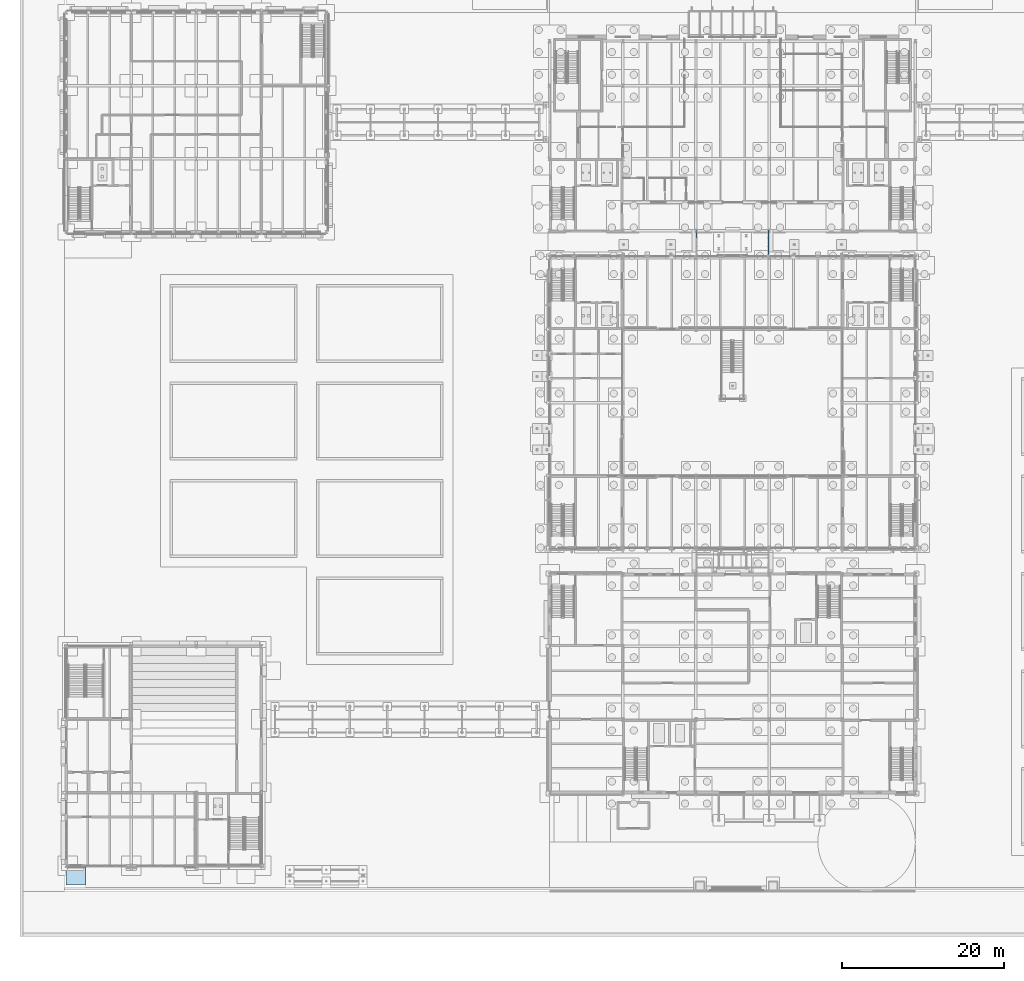
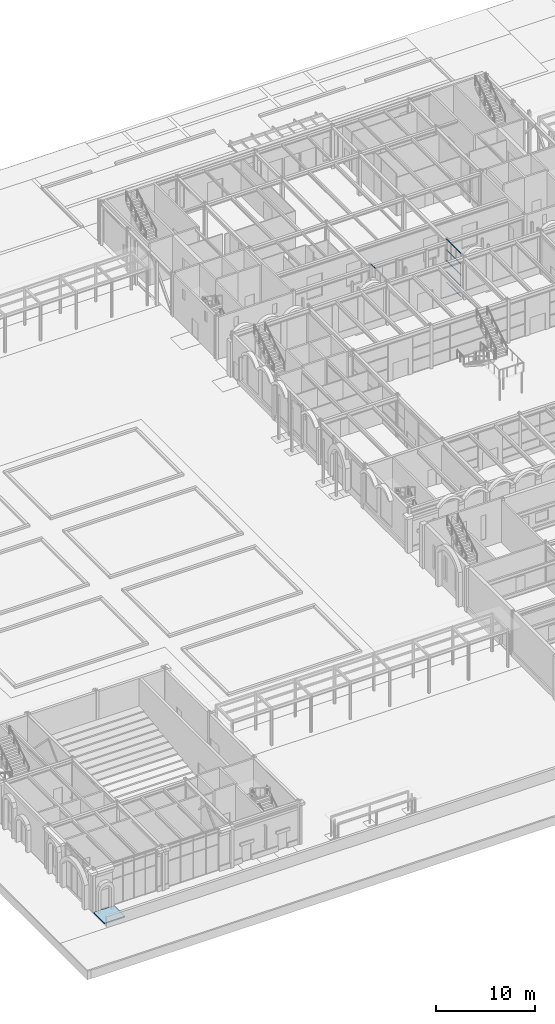
# One storey, part 57 of 126: 16 members, 1 slab, 2 elements without a shape of their own.
"""IFC4 building model written with IfcOpenShell, lengths in metres."""

import ifcopenshell
import ifcopenshell.guid

model = None  # the IFC model being written
_history = None  # IfcOwnerHistory: only IFC2X3 demands one
_inside = {}  # id of a spatial element -> (the spatial element, [elements in it])
_under = {}  # id of a project, library or spatial element -> (it, [spatial elements below it])
_declared = {}  # id of a project -> (the project, [libraries it declares])
_typed = {}  # id of a type object -> (the type object, [elements of that type])
_made_of = {}  # id of a material, layer set ... -> (it, [elements and type objects made of it])


def new_model(schema):
    """Start an empty IFC model of exactly this schema.

    Asked for "IFC4X3", IfcOpenShell would pick the latest addendum, in which some entities
    have other attributes; the version numbers below select the first issue.
    IFC2X3 requires an IfcOwnerHistory on every rooted entity: one is made here for all.
    """
    global model, _history
    if schema == "IFC4X3":
        model = ifcopenshell.file(schema_version=(4, 3, 0, 0))
    else:
        model = ifcopenshell.file(schema=schema)
    _inside.clear()
    _under.clear()
    _declared.clear()
    _typed.clear()
    _made_of.clear()
    _history = None
    if model.schema == "IFC2X3":
        org = make("IfcOrganization", Name="unknown")
        user = make(
            "IfcPersonAndOrganization",
            ThePerson=make("IfcPerson", FamilyName="unknown"),
            TheOrganization=org,
        )
        app = make(
            "IfcApplication",
            ApplicationDeveloper=org,
            Version="unknown",
            ApplicationFullName="unknown",
            ApplicationIdentifier="unknown",
        )
        _history = make(
            "IfcOwnerHistory",
            OwningUser=user,
            OwningApplication=app,
            ChangeAction="ADDED",
            CreationDate=0,
        )
    return model


def make(cls, **values):
    """One entity of the class cls with the attributes given. An attribute that is None is left unset."""
    return model.create_entity(
        cls, **{name: value for name, value in values.items() if value is not None}
    )


def rooted(cls, **values):
    """An entity with a GlobalId (a new one), such as an element, a storey or a relation."""
    return make(cls, GlobalId=ifcopenshell.guid.new(), OwnerHistory=_history, **values)


def si_unit(unit_type, name, prefix=None):
    """IfcSIUnit, for example si_unit("LENGTHUNIT", "METRE", prefix="MILLI")."""
    return make("IfcSIUnit", UnitType=unit_type, Prefix=prefix, Name=name)


def assignment(units):
    """IfcUnitAssignment: the units of a project."""
    return None if units is None else make("IfcUnitAssignment", Units=units)


def point(xyz):
    """IfcCartesianPoint."""
    return None if xyz is None else make("IfcCartesianPoint", Coordinates=xyz)


def direction(xyz):
    """IfcDirection."""
    return None if xyz is None else make("IfcDirection", DirectionRatios=xyz)


def frame(location, z_axis=None, x_axis=None):
    """IfcAxis2Placement3D, a coordinate frame: its origin and axes. An axis left out is left unset."""
    return make(
        "IfcAxis2Placement3D",
        Location=point(location),
        Axis=direction(z_axis),
        RefDirection=direction(x_axis),
    )


def frame_2d(location, x_axis=None):
    """IfcAxis2Placement2D, a coordinate frame in the plane: its origin and x axis."""
    return make(
        "IfcAxis2Placement2D", Location=point(location), RefDirection=direction(x_axis)
    )


def origin():
    """The frame at (0, 0, 0) with its axes left unset."""
    return frame((0.0, 0.0, 0.0))


def origin_2d():
    """The frame at (0, 0) in the plane with its x axis left unset."""
    return frame_2d((0.0, 0.0))


def place(relative_to, where):
    """IfcLocalPlacement: puts the frame where relative to a parent placement (None: the world)."""
    return make(
        "IfcLocalPlacement", PlacementRelTo=relative_to, RelativePlacement=where
    )


def context(
    kind, dimensions, precision=None, world=None, true_north=None, identifier=None
):
    """IfcGeometricRepresentationContext, for example the 3D "Model" context."""
    return make(
        "IfcGeometricRepresentationContext",
        ContextIdentifier=identifier,
        ContextType=kind,
        CoordinateSpaceDimension=dimensions,
        Precision=precision,
        WorldCoordinateSystem=world,
        TrueNorth=true_north,
    )


def subcontext(parent, identifier, kind, view, scale=None):
    """IfcGeometricRepresentationSubContext, for example "Body" below "Model"."""
    return make(
        "IfcGeometricRepresentationSubContext",
        ContextIdentifier=identifier,
        ContextType=kind,
        ParentContext=parent,
        TargetScale=scale,
        TargetView=view,
    )


def project(units=None, contexts=None):
    """IfcProject with its units and contexts."""
    return rooted(
        "IfcProject",
        Name="project",
        RepresentationContexts=contexts,
        UnitsInContext=assignment(units),
    )


def spatial(cls, under=None, at=None, **own):
    """A site, building, storey or space (cls), placed at a placement, below another one or the project."""
    s = rooted(cls, ObjectPlacement=at, **own)
    if under is not None:
        _under.setdefault(under.id(), (under, []))[1].append(s)
    return s


def polyline(points):
    """IfcPolyline through the points."""
    return make("IfcPolyline", Points=[point(p) for p in points])


def profile(cls, at=None, kind="AREA", **sizes):
    """A parametric profile (cls). Its sizes go by their IFC names, for example OverallWidth=200.0."""
    return make(cls, ProfileType=kind, Position=at, **sizes)


def hollow_rectangle(**sizes):
    """IfcRectangleHollowProfileDef."""
    return profile("IfcRectangleHollowProfileDef", **sizes)


def outline(outer, holes=None, kind="AREA"):
    """IfcArbitraryClosedProfileDef: a profile drawn as a closed curve; with holes, ...WithVoids."""
    if holes is None:
        return make("IfcArbitraryClosedProfileDef", ProfileType=kind, OuterCurve=outer)
    return make(
        "IfcArbitraryProfileDefWithVoids",
        ProfileType=kind,
        OuterCurve=outer,
        InnerCurves=holes,
    )


def extrude(swept, where, along, depth):
    """IfcExtrudedAreaSolid: the profile swept, set in the frame where, extruded along a direction by depth."""
    return make(
        "IfcExtrudedAreaSolid",
        SweptArea=swept,
        Position=where,
        ExtrudedDirection=direction(along),
        Depth=depth,
    )


def shape(context_of_items, identifier, shape_type, items):
    """IfcShapeRepresentation: the items that make up one representation, for example the "Body"."""
    return make(
        "IfcShapeRepresentation",
        ContextOfItems=context_of_items,
        RepresentationIdentifier=identifier,
        RepresentationType=shape_type,
        Items=items,
    )


def material(Name=None, Category=None):
    """IfcMaterial."""
    return make("IfcMaterial", Name=Name, Category=Category)


def layer(
    of_material, thickness, ventilated=None, Name=None, Category=None, Priority=None
):
    """IfcMaterialLayer: one layer of a wall or slab, of a material (None: an air gap)."""
    return make(
        "IfcMaterialLayer",
        Material=of_material,
        LayerThickness=thickness,
        IsVentilated=ventilated,
        Name=Name,
        Category=Category,
        Priority=Priority,
    )


def layer_set(layers, Name=None):
    """IfcMaterialLayerSet."""
    return make("IfcMaterialLayerSet", MaterialLayers=layers, LayerSetName=Name)


def material_profile(
    of_material, cross_section, Name=None, Category=None, Priority=None
):
    """IfcMaterialProfile: a cross section and its material."""
    return make(
        "IfcMaterialProfile",
        Name=Name,
        Material=of_material,
        Profile=cross_section,
        Priority=Priority,
        Category=Category,
    )


def profile_set(profiles, Name=None, composite=None):
    """IfcMaterialProfileSet."""
    return make(
        "IfcMaterialProfileSet",
        Name=Name,
        MaterialProfiles=profiles,
        CompositeProfile=composite,
    )


def made_of(thing, what):
    """Note that an element or type object is made of a material, layer set ...; save() writes the relation."""
    if what is not None:
        _made_of.setdefault(what.id(), (what, []))[1].append(thing)
    return thing


def type_object(cls, material=None, **own):
    """A type object (cls), such as IfcWallType, which elements share."""
    return made_of(rooted(cls, **own), material)


def element(
    cls,
    number,
    at=None,
    inside=None,
    cuts=None,
    type_object=None,
    material=None,
    context=None,
    identifier="Body",
    shape_type=None,
    held_by="IfcProductDefinitionShape",
    body=None,
    shapes=None,
    **own,
):
    """One element of the class cls, such as IfcWall. Its Tag is "e" and its number.

    at: its placement. inside: the storey or other place that contains it. cuts: it is an
    opening in that element (IfcRelVoidsElement). A single representation is given by context,
    identifier, shape_type and body (its items); several are given by shapes. held_by: the class
    of the entity that holds the representations. save() writes the other relations.
    """
    e = rooted(cls, Tag="e%d" % number, ObjectPlacement=at, **own)
    if body is not None:
        shapes = [shape(context, identifier, shape_type, body)]
    if shapes is not None:
        e.Representation = make(held_by, Representations=shapes)
    if inside is not None:
        _inside.setdefault(inside.id(), (inside, []))[1].append(e)
    if cuts is not None:
        rooted(
            "IfcRelVoidsElement", RelatingBuildingElement=cuts, RelatedOpeningElement=e
        )
    if type_object is not None:
        _typed.setdefault(type_object.id(), (type_object, []))[1].append(e)
    return made_of(e, material)


def aggregate(whole, parts):
    """IfcRelAggregates: a whole, such as a stair, and the parts it consists of."""
    return rooted("IfcRelAggregates", RelatingObject=whole, RelatedObjects=parts)


def save(model, path):
    """Write the relations noted so far, then the file.

    IfcRelAggregates (storeys below a building ...), IfcRelContainedInSpatialStructure (elements
    in a storey), IfcRelDefinesByType, IfcRelAssociatesMaterial and IfcRelDeclares: one each for
    every whole, place, type object, material and project.
    """
    for whole, parts in _under.values():
        aggregate(whole, parts)
    for where, things in _inside.values():
        rooted(
            "IfcRelContainedInSpatialStructure",
            RelatedElements=things,
            RelatingStructure=where,
        )
    for kind, things in _typed.values():
        rooted("IfcRelDefinesByType", RelatedObjects=things, RelatingType=kind)
    for what, things in _made_of.values():
        rooted("IfcRelAssociatesMaterial", RelatedObjects=things, RelatingMaterial=what)
    for by, libraries in _declared.values():
        rooted("IfcRelDeclares", RelatingContext=by, RelatedDefinitions=libraries)
    model.write(path)


model = new_model("IFC4")

# Units and contexts
model_context = context("Model", 3, precision=1e-05, world=origin(), true_north=direction((0.0, 1.0)))
body_context = subcontext(model_context, "Body", "Model", "MODEL_VIEW")
ifc_project = project(units=[si_unit("LENGTHUNIT", "METRE"), si_unit("AREAUNIT", "SQUARE_METRE"), si_unit("VOLUMEUNIT", "CUBIC_METRE"), si_unit("PLANEANGLEUNIT", "RADIAN"), si_unit("MASSUNIT", "GRAM", prefix="KILO")], contexts=[model_context])

# Site, building, storey
site_placement = place(None, origin())
site = spatial("IfcSite", under=ifc_project, at=site_placement, CompositionType="ELEMENT")
building_placement = place(site_placement, origin())
building = spatial("IfcBuilding", under=site, at=building_placement, Name="Kallimachos Central Library", CompositionType="ELEMENT")
storey_placement = place(building_placement, origin())
storey = spatial("IfcBuildingStorey", under=building, at=storey_placement, Name="L00", CompositionType="ELEMENT", Elevation=0.0)

# Curtain wall, member
ifc_material_1 = material(Name="Aluminium and laminated glass", Category="aluminium")
curtain_wall_type = type_object("IfcCurtainWallType", Name="Link glazed wall", PredefinedType="NOTDEFINED", material=ifc_material_1)
curtain_wall_1_placement = place(storey_placement, origin())
curtain_wall_1 = element("IfcCurtainWall", 1, at=curtain_wall_1_placement, inside=storey, type_object=curtain_wall_type, Name="Reading Link glazed wall L00", PredefinedType="NOTDEFINED")
ifc_material_2 = material(Name="Anodised aluminium", Category="aluminium")
ifc_material_profile = material_profile(ifc_material_2, hollow_rectangle(XDim=0.06005859375, YDim=0.080078125, WallThickness=0.00390625, at=origin_2d()), Name="ALU TRANSOM 60x80")
ifc_profile_set = profile_set([ifc_material_profile], Name="Anodised aluminium")
member_type = type_object("IfcMemberType", Name="ALU TRANSOM 60x80 transom", PredefinedType="USERDEFINED", material=ifc_profile_set)
member_1_placement = place(storey_placement, frame((83.580078125, 86.280029296875, 5.3701171875), z_axis=(0.0, 1.0, 0.0), x_axis=(0.0, 0.0, 1.0)))
member_1 = element("IfcMember", 2, at=member_1_placement, type_object=member_type, Name="CW62 transom 3.5", ObjectType="TRANSOM", PredefinedType="USERDEFINED", context=body_context, shape_type="SweptSolid", body=[
    extrude(hollow_rectangle(XDim=0.06005859375, YDim=0.080078125, WallThickness=0.00390625, at=origin_2d()), origin(), (0.0, 0.0, 1.0), 0.93505859375),
])
aggregate(curtain_wall_1, [member_1])

# Curtain wall, members
curtain_wall_2_placement = place(storey_placement, origin())
curtain_wall_2 = element("IfcCurtainWall", 3, at=curtain_wall_2_placement, inside=storey, type_object=curtain_wall_type, Name="Reading Link glazed wall L00", PredefinedType="NOTDEFINED")
member_2_placement = place(storey_placement, frame((92.419921875, 84.260009765625, 0.030029296875), z_axis=(0.0, 1.0, 0.0), x_axis=(0.0, 0.0, 1.0)))
member_2 = element("IfcMember", 4, at=member_2_placement, type_object=member_type, Name="CW63 transom 1.1", ObjectType="TRANSOM", PredefinedType="USERDEFINED", context=body_context, shape_type="SweptSolid", body=[
    extrude(hollow_rectangle(XDim=0.06005859375, YDim=0.080078125, WallThickness=0.00390625, at=origin_2d()), origin(), (0.0, 0.0, 1.0), 0.93505859375),
])
member_3_placement = place(storey_placement, frame((92.419921875, 84.260009765625, 1.35009765625), z_axis=(0.0, 1.0, 0.0), x_axis=(0.0, 0.0, 1.0)))
member_3 = element("IfcMember", 5, at=member_3_placement, type_object=member_type, Name="CW63 transom 1.2", ObjectType="TRANSOM", PredefinedType="USERDEFINED", context=body_context, shape_type="SweptSolid", body=[
    extrude(hollow_rectangle(XDim=0.06005859375, YDim=0.080078125, WallThickness=0.00390625, at=origin_2d()), origin(), (0.0, 0.0, 1.0), 0.93505859375),
])
member_4_placement = place(storey_placement, frame((92.419921875, 84.260009765625, 2.699951171875), z_axis=(0.0, 1.0, 0.0), x_axis=(0.0, 0.0, 1.0)))
member_4 = element("IfcMember", 6, at=member_4_placement, type_object=member_type, Name="CW63 transom 1.3", ObjectType="TRANSOM", PredefinedType="USERDEFINED", context=body_context, shape_type="SweptSolid", body=[
    extrude(hollow_rectangle(XDim=0.06005859375, YDim=0.080078125, WallThickness=0.00390625, at=origin_2d()), origin(), (0.0, 0.0, 1.0), 0.93505859375),
])
member_5_placement = place(storey_placement, frame((92.419921875, 84.260009765625, 4.050048828125), z_axis=(0.0, 1.0, 0.0), x_axis=(0.0, 0.0, 1.0)))
member_5 = element("IfcMember", 7, at=member_5_placement, type_object=member_type, Name="CW63 transom 1.4", ObjectType="TRANSOM", PredefinedType="USERDEFINED", context=body_context, shape_type="SweptSolid", body=[
    extrude(hollow_rectangle(XDim=0.06005859375, YDim=0.080078125, WallThickness=0.00390625, at=origin_2d()), origin(), (0.0, 0.0, 1.0), 0.93505859375),
])
member_6_placement = place(storey_placement, frame((92.419921875, 84.260009765625, 5.3701171875), z_axis=(0.0, 1.0, 0.0), x_axis=(0.0, 0.0, 1.0)))
member_6 = element("IfcMember", 8, at=member_6_placement, type_object=member_type, Name="CW63 transom 1.5", ObjectType="TRANSOM", PredefinedType="USERDEFINED", context=body_context, shape_type="SweptSolid", body=[
    extrude(hollow_rectangle(XDim=0.06005859375, YDim=0.080078125, WallThickness=0.00390625, at=origin_2d()), origin(), (0.0, 0.0, 1.0), 0.93505859375),
])
member_7_placement = place(storey_placement, frame((92.419921875, 85.2548828125, 0.030029296875), z_axis=(0.0, 1.0, 0.0), x_axis=(0.0, 0.0, 1.0)))
member_7 = element("IfcMember", 9, at=member_7_placement, type_object=member_type, Name="CW63 transom 2.1", ObjectType="TRANSOM", PredefinedType="USERDEFINED", context=body_context, shape_type="SweptSolid", body=[
    extrude(hollow_rectangle(XDim=0.06005859375, YDim=0.080078125, WallThickness=0.00390625, at=origin_2d()), origin(), (0.0, 0.0, 1.0), 0.965087890625),
])
member_8_placement = place(storey_placement, frame((92.419921875, 85.2548828125, 1.35009765625), z_axis=(0.0, 1.0, 0.0), x_axis=(0.0, 0.0, 1.0)))
member_8 = element("IfcMember", 10, at=member_8_placement, type_object=member_type, Name="CW63 transom 2.2", ObjectType="TRANSOM", PredefinedType="USERDEFINED", context=body_context, shape_type="SweptSolid", body=[
    extrude(hollow_rectangle(XDim=0.06005859375, YDim=0.080078125, WallThickness=0.00390625, at=origin_2d()), origin(), (0.0, 0.0, 1.0), 0.965087890625),
])
member_9_placement = place(storey_placement, frame((92.419921875, 85.2548828125, 2.699951171875), z_axis=(0.0, 1.0, 0.0), x_axis=(0.0, 0.0, 1.0)))
member_9 = element("IfcMember", 11, at=member_9_placement, type_object=member_type, Name="CW63 transom 2.3", ObjectType="TRANSOM", PredefinedType="USERDEFINED", context=body_context, shape_type="SweptSolid", body=[
    extrude(hollow_rectangle(XDim=0.06005859375, YDim=0.080078125, WallThickness=0.00390625, at=origin_2d()), origin(), (0.0, 0.0, 1.0), 0.965087890625),
])
member_10_placement = place(storey_placement, frame((92.419921875, 85.2548828125, 4.050048828125), z_axis=(0.0, 1.0, 0.0), x_axis=(0.0, 0.0, 1.0)))
member_10 = element("IfcMember", 12, at=member_10_placement, type_object=member_type, Name="CW63 transom 2.4", ObjectType="TRANSOM", PredefinedType="USERDEFINED", context=body_context, shape_type="SweptSolid", body=[
    extrude(hollow_rectangle(XDim=0.06005859375, YDim=0.080078125, WallThickness=0.00390625, at=origin_2d()), origin(), (0.0, 0.0, 1.0), 0.965087890625),
])
member_11_placement = place(storey_placement, frame((92.419921875, 85.2548828125, 5.3701171875), z_axis=(0.0, 1.0, 0.0), x_axis=(0.0, 0.0, 1.0)))
member_11 = element("IfcMember", 13, at=member_11_placement, type_object=member_type, Name="CW63 transom 2.5", ObjectType="TRANSOM", PredefinedType="USERDEFINED", context=body_context, shape_type="SweptSolid", body=[
    extrude(hollow_rectangle(XDim=0.06005859375, YDim=0.080078125, WallThickness=0.00390625, at=origin_2d()), origin(), (0.0, 0.0, 1.0), 0.965087890625),
])
member_12_placement = place(storey_placement, frame((92.419921875, 86.280029296875, 0.030029296875), z_axis=(0.0, 1.0, 0.0), x_axis=(0.0, 0.0, 1.0)))
member_12 = element("IfcMember", 14, at=member_12_placement, type_object=member_type, Name="CW63 transom 3.1", ObjectType="TRANSOM", PredefinedType="USERDEFINED", context=body_context, shape_type="SweptSolid", body=[
    extrude(hollow_rectangle(XDim=0.06005859375, YDim=0.080078125, WallThickness=0.00390625, at=origin_2d()), origin(), (0.0, 0.0, 1.0), 0.93505859375),
])
member_13_placement = place(storey_placement, frame((92.419921875, 86.280029296875, 1.35009765625), z_axis=(0.0, 1.0, 0.0), x_axis=(0.0, 0.0, 1.0)))
member_13 = element("IfcMember", 15, at=member_13_placement, type_object=member_type, Name="CW63 transom 3.2", ObjectType="TRANSOM", PredefinedType="USERDEFINED", context=body_context, shape_type="SweptSolid", body=[
    extrude(hollow_rectangle(XDim=0.06005859375, YDim=0.080078125, WallThickness=0.00390625, at=origin_2d()), origin(), (0.0, 0.0, 1.0), 0.93505859375),
])
member_14_placement = place(storey_placement, frame((92.419921875, 86.280029296875, 2.699951171875), z_axis=(0.0, 1.0, 0.0), x_axis=(0.0, 0.0, 1.0)))
member_14 = element("IfcMember", 16, at=member_14_placement, type_object=member_type, Name="CW63 transom 3.3", ObjectType="TRANSOM", PredefinedType="USERDEFINED", context=body_context, shape_type="SweptSolid", body=[
    extrude(hollow_rectangle(XDim=0.06005859375, YDim=0.080078125, WallThickness=0.00390625, at=origin_2d()), origin(), (0.0, 0.0, 1.0), 0.93505859375),
])
member_15_placement = place(storey_placement, frame((92.419921875, 86.280029296875, 4.050048828125), z_axis=(0.0, 1.0, 0.0), x_axis=(0.0, 0.0, 1.0)))
member_15 = element("IfcMember", 17, at=member_15_placement, type_object=member_type, Name="CW63 transom 3.4", ObjectType="TRANSOM", PredefinedType="USERDEFINED", context=body_context, shape_type="SweptSolid", body=[
    extrude(hollow_rectangle(XDim=0.06005859375, YDim=0.080078125, WallThickness=0.00390625, at=origin_2d()), origin(), (0.0, 0.0, 1.0), 0.93505859375),
])
member_16_placement = place(storey_placement, frame((92.419921875, 86.280029296875, 5.3701171875), z_axis=(0.0, 1.0, 0.0), x_axis=(0.0, 0.0, 1.0)))
member_16 = element("IfcMember", 18, at=member_16_placement, type_object=member_type, Name="CW63 transom 3.5", ObjectType="TRANSOM", PredefinedType="USERDEFINED", context=body_context, shape_type="SweptSolid", body=[
    extrude(hollow_rectangle(XDim=0.06005859375, YDim=0.080078125, WallThickness=0.00390625, at=origin_2d()), origin(), (0.0, 0.0, 1.0), 0.93505859375),
])
aggregate(curtain_wall_2, [member_2, member_3, member_4, member_5, member_6, member_7, member_8, member_9, member_10, member_11, member_12, member_13, member_14, member_15, member_16])

# Slab
ifc_material_3 = material(Name="Concrete C30/37", Category="concrete")
ifc_layer = layer(ifc_material_3, 0.14990234375)
ifc_layer_set = layer_set([ifc_layer], Name="Paving slab 150")
slab_type = type_object("IfcSlabType", Name="Paving slab 150", PredefinedType="BASESLAB", material=ifc_layer_set)
slab_placement = place(storey_placement, frame((0.0, 0.0, -0.14990234375)))
element("IfcSlab", 19, at=slab_placement, inside=storey, type_object=slab_type, Name="Door Apron V6-DOR-L00-002", PredefinedType="BASESLAB", context=body_context, shape_type="SweptSolid", body=[
    extrude(outline(polyline([(8.35009765625, 6.64990234375), (5.949951171875, 6.64990234375), (5.949951171875, 8.85009765625), (8.35009765625, 8.85009765625), (8.35009765625, 6.64990234375)])), origin(), (0.0, 0.0, 1.0), 0.14990234375),
])

save(model, "model.ifc")
